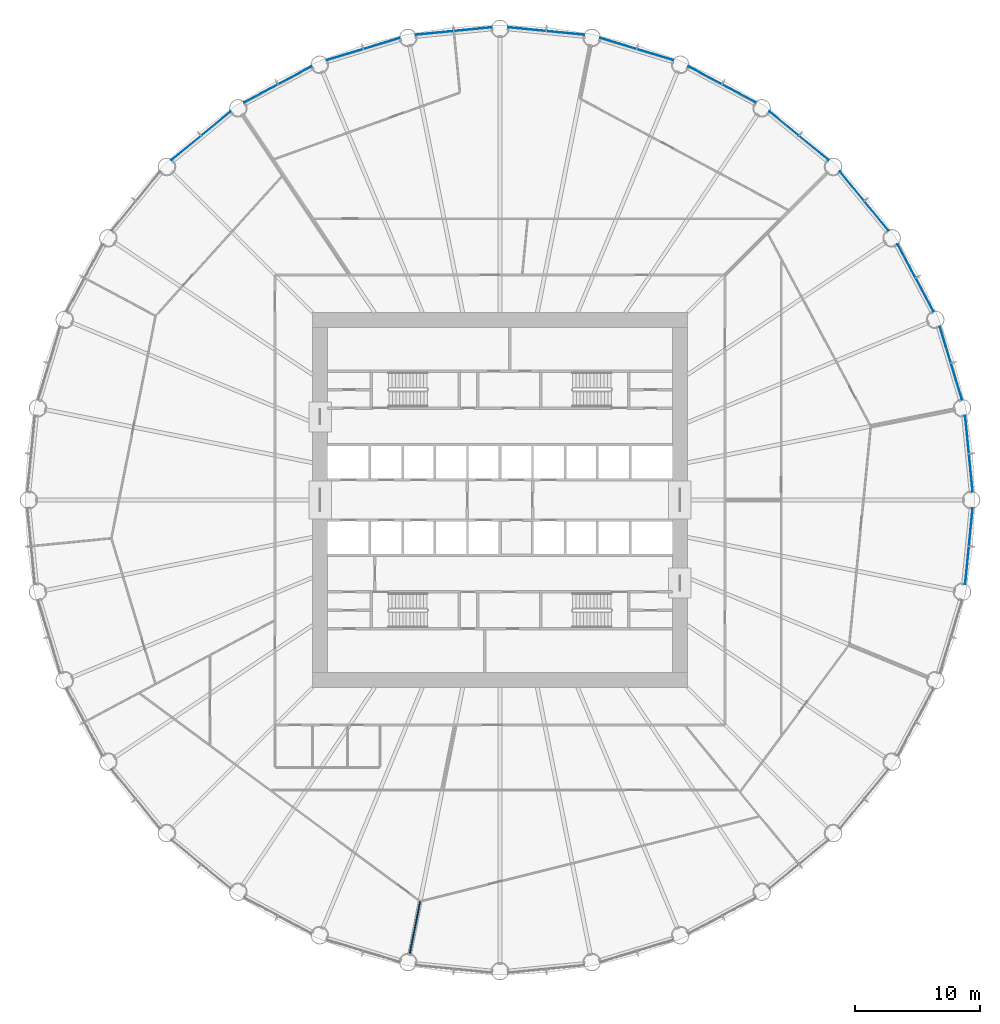
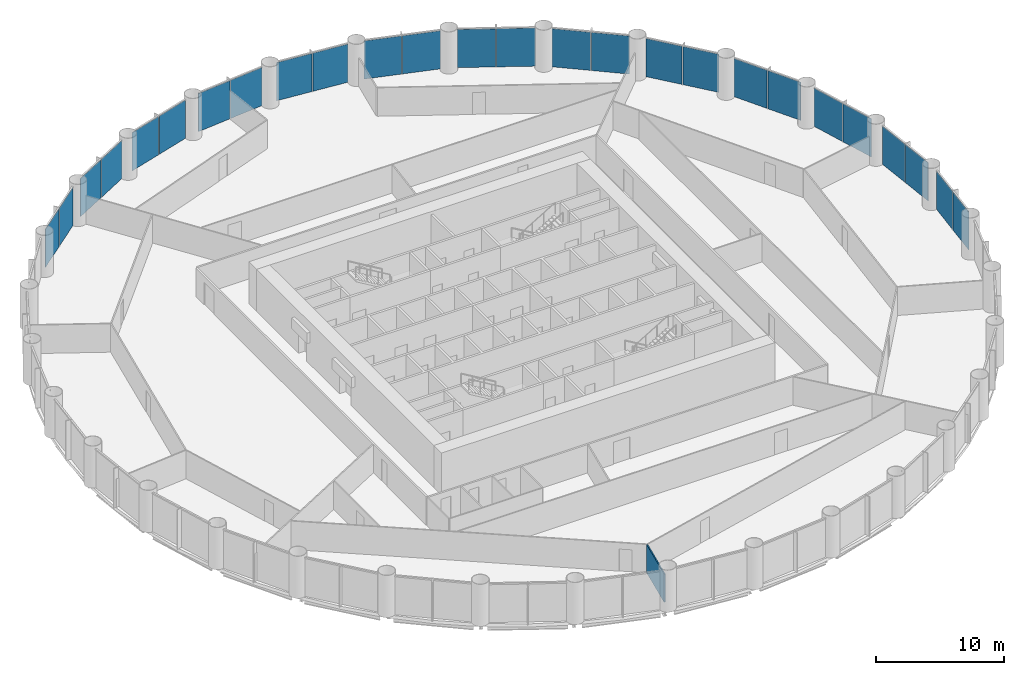
# One storey, part 9 of 15: 26 plates, 1 wall, 13 elements without a shape of their own.
"""IFC4 building model written with IfcOpenShell, lengths in metres."""

from ifc_helpers import new_model, si_unit, direction, frame, frame_2d, origin, origin_2d, place, context, subcontext, project, spatial, rectangle, extrude, material, layer, layer_set, type_object, element, aggregate, save


model = new_model("IFC4")

# Units and contexts
model_context = context("Model", 3, precision=1e-05, world=origin(), true_north=direction((0.0, 1.0)))
body_context = subcontext(model_context, "Body", "Model", "MODEL_VIEW")
ifc_project = project(units=[si_unit("LENGTHUNIT", "METRE"), si_unit("AREAUNIT", "SQUARE_METRE"), si_unit("VOLUMEUNIT", "CUBIC_METRE"), si_unit("PLANEANGLEUNIT", "RADIAN"), si_unit("MASSUNIT", "GRAM", prefix="KILO")], contexts=[model_context])

# Site, building, storey
site_placement = place(None, origin())
site = spatial("IfcSite", under=ifc_project, at=site_placement, CompositionType="ELEMENT")
building_placement = place(site_placement, origin())
building = spatial("IfcBuilding", under=site, at=building_placement, Name="Corvane Civic Tower", CompositionType="ELEMENT")
storey_placement = place(building_placement, frame((0.0, 0.0, 41.0)))
storey = spatial("IfcBuildingStorey", under=building, at=storey_placement, Name="L08", CompositionType="ELEMENT", Elevation=41.0)

# Curtain wall, plates
ifc_material_1 = material(Name="Anodised aluminium bronze", Category="aluminium")
curtain_wall_type = type_object("IfcCurtainWallType", Name="TOWER CW-T1 STICK CURTAIN WALL", PredefinedType="NOTDEFINED", material=ifc_material_1)
curtain_wall_1_placement = place(storey_placement, origin())
curtain_wall_1 = element("IfcCurtainWall", 1, at=curtain_wall_1_placement, inside=storey, type_object=curtain_wall_type, Name="Curtain wall CW-T1 L08 bay 01", PredefinedType="NOTDEFINED")
ifc_material_2 = material(Name="Tinted glass", Category="glass")
ifc_layer_1 = layer(ifc_material_2, 0.035888671875)
ifc_layer_set_1 = layer_set([ifc_layer_1], Name="Tinted glass")
plate_type = type_object("IfcPlateType", Name="TOWER CW-T1 PANEL IGU36", PredefinedType="CURTAIN_PANEL", material=ifc_layer_set_1)
plate_1_placement = place(storey_placement, frame((2.158203125, 37.667236328125, 0.0), z_axis=(0.0, 0.0, 1.0), x_axis=(0.995185800248, -0.098006239521, 0.0)))
plate_1 = element("IfcPlate", 2, at=plate_1_placement, type_object=plate_type, Name="Glass panel CW-T1 L08 01.1", PredefinedType="CURTAIN_PANEL", context=body_context, shape_type="SweptSolid", body=[
    extrude(rectangle(XDim=3.008544921875, YDim=0.035888671875, at=origin_2d()), origin(), (0.0, 0.0, 1.0), 3.6298828125),
])
plate_2_placement = place(storey_placement, frame((5.23193359375, 37.36474609375, 0.0), z_axis=(0.0, 0.0, 1.0), x_axis=(0.995185800248, -0.098006239521, 0.0)))
plate_2 = element("IfcPlate", 3, at=plate_2_placement, type_object=plate_type, Name="Glass panel CW-T1 L08 01.2", PredefinedType="CURTAIN_PANEL", context=body_context, shape_type="SweptSolid", body=[
    extrude(rectangle(XDim=3.008544921875, YDim=0.035888671875, at=origin_2d()), origin(), (0.0, 0.0, 1.0), 3.6298828125),
])
aggregate(curtain_wall_1, [plate_1, plate_2])

curtain_wall_2_placement = place(storey_placement, origin())
curtain_wall_2 = element("IfcCurtainWall", 4, at=curtain_wall_2_placement, inside=storey, type_object=curtain_wall_type, Name="Curtain wall CW-T1 L08 bay 02", PredefinedType="NOTDEFINED")
plate_3_placement = place(storey_placement, frame((9.46533203125, 36.522705078125, 0.0), z_axis=(0.0, 0.0, 1.0), x_axis=(0.956942240606, -0.290278397654, 0.0)))
plate_3 = element("IfcPlate", 5, at=plate_3_placement, type_object=plate_type, Name="Glass panel CW-T1 L08 02.1", PredefinedType="CURTAIN_PANEL", context=body_context, shape_type="SweptSolid", body=[
    extrude(rectangle(XDim=3.008544921875, YDim=0.035888671875, at=origin_2d()), origin(), (0.0, 0.0, 1.0), 3.6298828125),
])
plate_4_placement = place(storey_placement, frame((12.4208984375, 35.6259765625, 0.0), z_axis=(0.0, 0.0, 1.0), x_axis=(0.956942240606, -0.290278397654, 0.0)))
plate_4 = element("IfcPlate", 6, at=plate_4_placement, type_object=plate_type, Name="Glass panel CW-T1 L08 02.2", PredefinedType="CURTAIN_PANEL", context=body_context, shape_type="SweptSolid", body=[
    extrude(rectangle(XDim=3.008544921875, YDim=0.035888671875, at=origin_2d()), origin(), (0.0, 0.0, 1.0), 3.6298828125),
])
aggregate(curtain_wall_2, [plate_3, plate_4])

curtain_wall_3_placement = place(storey_placement, origin())
curtain_wall_3 = element("IfcCurtainWall", 7, at=curtain_wall_3_placement, inside=storey, type_object=curtain_wall_type, Name="Curtain wall CW-T1 L08 bay 03", PredefinedType="NOTDEFINED")
plate_5_placement = place(storey_placement, frame((16.40869140625, 33.974365234375, 0.0), z_axis=(0.0, 0.0, 1.0), x_axis=(0.881917528864, -0.471403725359, 0.0)))
plate_5 = element("IfcPlate", 8, at=plate_5_placement, type_object=plate_type, Name="Glass panel CW-T1 L08 03.1", PredefinedType="CURTAIN_PANEL", context=body_context, shape_type="SweptSolid", body=[
    extrude(rectangle(XDim=3.008544921875, YDim=0.035888671875, at=origin_2d()), origin(), (0.0, 0.0, 1.0), 3.6298828125),
])
plate_6_placement = place(storey_placement, frame((19.132568359375, 32.518310546875, 0.0), z_axis=(0.0, 0.0, 1.0), x_axis=(0.881917528864, -0.471403725359, 0.0)))
plate_6 = element("IfcPlate", 9, at=plate_6_placement, type_object=plate_type, Name="Glass panel CW-T1 L08 03.2", PredefinedType="CURTAIN_PANEL", context=body_context, shape_type="SweptSolid", body=[
    extrude(rectangle(XDim=3.008544921875, YDim=0.035888671875, at=origin_2d()), origin(), (0.0, 0.0, 1.0), 3.6298828125),
])
aggregate(curtain_wall_3, [plate_5, plate_6])

curtain_wall_4_placement = place(storey_placement, origin())
curtain_wall_4 = element("IfcCurtainWall", 10, at=curtain_wall_4_placement, inside=storey, type_object=curtain_wall_type, Name="Curtain wall CW-T1 L08 bay 04", PredefinedType="NOTDEFINED")
plate_7_placement = place(storey_placement, frame((22.721435546875, 30.120361328125, 0.0), z_axis=(0.0, 0.0, 1.0), x_axis=(0.773007224463, -0.634397218569, 0.0)))
plate_7 = element("IfcPlate", 11, at=plate_7_placement, type_object=plate_type, Name="Glass panel CW-T1 L08 04.1", PredefinedType="CURTAIN_PANEL", context=body_context, shape_type="SweptSolid", body=[
    extrude(rectangle(XDim=3.008544921875, YDim=0.035888671875, at=origin_2d()), origin(), (0.0, 0.0, 1.0), 3.6298828125),
])
plate_8_placement = place(storey_placement, frame((25.10888671875, 28.160888671875, 0.0), z_axis=(0.0, 0.0, 1.0), x_axis=(0.773007224463, -0.634397218569, 0.0)))
plate_8 = element("IfcPlate", 12, at=plate_8_placement, type_object=plate_type, Name="Glass panel CW-T1 L08 04.2", PredefinedType="CURTAIN_PANEL", context=body_context, shape_type="SweptSolid", body=[
    extrude(rectangle(XDim=3.008544921875, YDim=0.035888671875, at=origin_2d()), origin(), (0.0, 0.0, 1.0), 3.6298828125),
])
aggregate(curtain_wall_4, [plate_7, plate_8])

curtain_wall_5_placement = place(storey_placement, origin())
curtain_wall_5 = element("IfcCurtainWall", 13, at=curtain_wall_5_placement, inside=storey, type_object=curtain_wall_type, Name="Curtain wall CW-T1 L08 bay 05", PredefinedType="NOTDEFINED")
plate_9_placement = place(storey_placement, frame((28.160888671875, 25.10888671875, 0.0), z_axis=(0.0, 0.0, 1.0), x_axis=(0.634397218569, -0.773007224463, 0.0)))
plate_9 = element("IfcPlate", 14, at=plate_9_placement, type_object=plate_type, Name="Glass panel CW-T1 L08 05.1", PredefinedType="CURTAIN_PANEL", context=body_context, shape_type="SweptSolid", body=[
    extrude(rectangle(XDim=3.008544921875, YDim=0.035888671875, at=origin_2d()), origin(), (0.0, 0.0, 1.0), 3.6298828125),
])
plate_10_placement = place(storey_placement, frame((30.120361328125, 22.721435546875, 0.0), z_axis=(0.0, 0.0, 1.0), x_axis=(0.634397218569, -0.773007224463, 0.0)))
plate_10 = element("IfcPlate", 15, at=plate_10_placement, type_object=plate_type, Name="Glass panel CW-T1 L08 05.2", PredefinedType="CURTAIN_PANEL", context=body_context, shape_type="SweptSolid", body=[
    extrude(rectangle(XDim=3.008544921875, YDim=0.035888671875, at=origin_2d()), origin(), (0.0, 0.0, 1.0), 3.6298828125),
])
aggregate(curtain_wall_5, [plate_9, plate_10])

curtain_wall_6_placement = place(storey_placement, origin())
curtain_wall_6 = element("IfcCurtainWall", 16, at=curtain_wall_6_placement, inside=storey, type_object=curtain_wall_type, Name="Curtain wall CW-T1 L08 bay 06", PredefinedType="NOTDEFINED")
plate_11_placement = place(storey_placement, frame((32.518310546875, 19.132568359375, 0.0), z_axis=(0.0, 0.0, 1.0), x_axis=(0.471403725359, -0.881917528864, 0.0)))
plate_11 = element("IfcPlate", 17, at=plate_11_placement, type_object=plate_type, Name="Glass panel CW-T1 L08 06.1", PredefinedType="CURTAIN_PANEL", context=body_context, shape_type="SweptSolid", body=[
    extrude(rectangle(XDim=3.008544921875, YDim=0.035888671875, at=origin_2d()), origin(), (0.0, 0.0, 1.0), 3.6298828125),
])
plate_12_placement = place(storey_placement, frame((33.974365234375, 16.40869140625, 0.0), z_axis=(0.0, 0.0, 1.0), x_axis=(0.471403725359, -0.881917528864, 0.0)))
plate_12 = element("IfcPlate", 18, at=plate_12_placement, type_object=plate_type, Name="Glass panel CW-T1 L08 06.2", PredefinedType="CURTAIN_PANEL", context=body_context, shape_type="SweptSolid", body=[
    extrude(rectangle(XDim=3.008544921875, YDim=0.035888671875, at=origin_2d()), origin(), (0.0, 0.0, 1.0), 3.6298828125),
])
aggregate(curtain_wall_6, [plate_11, plate_12])

curtain_wall_7_placement = place(storey_placement, origin())
curtain_wall_7 = element("IfcCurtainWall", 19, at=curtain_wall_7_placement, inside=storey, type_object=curtain_wall_type, Name="Curtain wall CW-T1 L08 bay 07", PredefinedType="NOTDEFINED")
plate_13_placement = place(storey_placement, frame((35.6259765625, 12.4208984375, 0.0), z_axis=(0.0, 0.0, 1.0), x_axis=(0.290278397654, -0.956942240606, 0.0)))
plate_13 = element("IfcPlate", 20, at=plate_13_placement, type_object=plate_type, Name="Glass panel CW-T1 L08 07.1", PredefinedType="CURTAIN_PANEL", context=body_context, shape_type="SweptSolid", body=[
    extrude(rectangle(XDim=3.008544921875, YDim=0.035888671875, at=origin_2d()), origin(), (0.0, 0.0, 1.0), 3.6298828125),
])
plate_14_placement = place(storey_placement, frame((36.522705078125, 9.46533203125, 0.0), z_axis=(0.0, 0.0, 1.0), x_axis=(0.290278397654, -0.956942240606, 0.0)))
plate_14 = element("IfcPlate", 21, at=plate_14_placement, type_object=plate_type, Name="Glass panel CW-T1 L08 07.2", PredefinedType="CURTAIN_PANEL", context=body_context, shape_type="SweptSolid", body=[
    extrude(rectangle(XDim=3.008544921875, YDim=0.035888671875, at=origin_2d()), origin(), (0.0, 0.0, 1.0), 3.6298828125),
])
aggregate(curtain_wall_7, [plate_13, plate_14])

curtain_wall_8_placement = place(storey_placement, origin())
curtain_wall_8 = element("IfcCurtainWall", 22, at=curtain_wall_8_placement, inside=storey, type_object=curtain_wall_type, Name="Curtain wall CW-T1 L08 bay 08", PredefinedType="NOTDEFINED")
plate_15_placement = place(storey_placement, frame((37.36474609375, 5.23193359375, 0.0), z_axis=(0.0, 0.0, 1.0), x_axis=(0.098006239521, -0.995185800248, 0.0)))
plate_15 = element("IfcPlate", 23, at=plate_15_placement, type_object=plate_type, Name="Glass panel CW-T1 L08 08.1", PredefinedType="CURTAIN_PANEL", context=body_context, shape_type="SweptSolid", body=[
    extrude(rectangle(XDim=3.008544921875, YDim=0.035888671875, at=origin_2d()), origin(), (0.0, 0.0, 1.0), 3.6298828125),
])
plate_16_placement = place(storey_placement, frame((37.667236328125, 2.158203125, 0.0), z_axis=(0.0, 0.0, 1.0), x_axis=(0.098006239521, -0.995185800248, 0.0)))
plate_16 = element("IfcPlate", 24, at=plate_16_placement, type_object=plate_type, Name="Glass panel CW-T1 L08 08.2", PredefinedType="CURTAIN_PANEL", context=body_context, shape_type="SweptSolid", body=[
    extrude(rectangle(XDim=3.008544921875, YDim=0.035888671875, at=origin_2d()), origin(), (0.0, 0.0, 1.0), 3.6298828125),
])
aggregate(curtain_wall_8, [plate_15, plate_16])

curtain_wall_9_placement = place(storey_placement, origin())
curtain_wall_9 = element("IfcCurtainWall", 25, at=curtain_wall_9_placement, inside=storey, type_object=curtain_wall_type, Name="Curtain wall CW-T1 L08 bay 09", PredefinedType="NOTDEFINED")
plate_17_placement = place(storey_placement, frame((37.667236328125, -2.158203125, 0.0), z_axis=(0.0, 0.0, 1.0), x_axis=(-0.098006239521, -0.995185800248, 0.0)))
plate_17 = element("IfcPlate", 26, at=plate_17_placement, type_object=plate_type, Name="Glass panel CW-T1 L08 09.1", PredefinedType="CURTAIN_PANEL", context=body_context, shape_type="SweptSolid", body=[
    extrude(rectangle(XDim=3.008544921875, YDim=0.035888671875, at=origin_2d()), origin(), (0.0, 0.0, 1.0), 3.6298828125),
])
plate_18_placement = place(storey_placement, frame((37.36474609375, -5.23193359375, 0.0), z_axis=(0.0, 0.0, 1.0), x_axis=(-0.098006239521, -0.995185800248, 0.0)))
plate_18 = element("IfcPlate", 27, at=plate_18_placement, type_object=plate_type, Name="Glass panel CW-T1 L08 09.2", PredefinedType="CURTAIN_PANEL", context=body_context, shape_type="SweptSolid", body=[
    extrude(rectangle(XDim=3.008544921875, YDim=0.035888671875, at=origin_2d()), origin(), (0.0, 0.0, 1.0), 3.6298828125),
])
aggregate(curtain_wall_9, [plate_17, plate_18])

curtain_wall_10_placement = place(storey_placement, origin())
curtain_wall_10 = element("IfcCurtainWall", 28, at=curtain_wall_10_placement, inside=storey, type_object=curtain_wall_type, Name="Curtain wall CW-T1 L08 bay 29", PredefinedType="NOTDEFINED")
plate_19_placement = place(storey_placement, frame((-25.10888671875, 28.160888671875, 0.0), z_axis=(0.0, 0.0, 1.0), x_axis=(0.773007224463, 0.634397218569, 0.0)))
plate_19 = element("IfcPlate", 29, at=plate_19_placement, type_object=plate_type, Name="Glass panel CW-T1 L08 29.1", PredefinedType="CURTAIN_PANEL", context=body_context, shape_type="SweptSolid", body=[
    extrude(rectangle(XDim=3.008544921875, YDim=0.035888671875, at=origin_2d()), origin(), (0.0, 0.0, 1.0), 3.6298828125),
])
plate_20_placement = place(storey_placement, frame((-22.721435546875, 30.120361328125, 0.0), z_axis=(0.0, 0.0, 1.0), x_axis=(0.773007224463, 0.634397218569, 0.0)))
plate_20 = element("IfcPlate", 30, at=plate_20_placement, type_object=plate_type, Name="Glass panel CW-T1 L08 29.2", PredefinedType="CURTAIN_PANEL", context=body_context, shape_type="SweptSolid", body=[
    extrude(rectangle(XDim=3.008544921875, YDim=0.035888671875, at=origin_2d()), origin(), (0.0, 0.0, 1.0), 3.6298828125),
])
aggregate(curtain_wall_10, [plate_19, plate_20])

curtain_wall_11_placement = place(storey_placement, origin())
curtain_wall_11 = element("IfcCurtainWall", 31, at=curtain_wall_11_placement, inside=storey, type_object=curtain_wall_type, Name="Curtain wall CW-T1 L08 bay 30", PredefinedType="NOTDEFINED")
plate_21_placement = place(storey_placement, frame((-19.132568359375, 32.518310546875, 0.0), z_axis=(0.0, 0.0, 1.0), x_axis=(0.881917528864, 0.471403725359, 0.0)))
plate_21 = element("IfcPlate", 32, at=plate_21_placement, type_object=plate_type, Name="Glass panel CW-T1 L08 30.1", PredefinedType="CURTAIN_PANEL", context=body_context, shape_type="SweptSolid", body=[
    extrude(rectangle(XDim=3.008544921875, YDim=0.035888671875, at=origin_2d()), origin(), (0.0, 0.0, 1.0), 3.6298828125),
])
plate_22_placement = place(storey_placement, frame((-16.40869140625, 33.974365234375, 0.0), z_axis=(0.0, 0.0, 1.0), x_axis=(0.881917528864, 0.471403725359, 0.0)))
plate_22 = element("IfcPlate", 33, at=plate_22_placement, type_object=plate_type, Name="Glass panel CW-T1 L08 30.2", PredefinedType="CURTAIN_PANEL", context=body_context, shape_type="SweptSolid", body=[
    extrude(rectangle(XDim=3.008544921875, YDim=0.035888671875, at=origin_2d()), origin(), (0.0, 0.0, 1.0), 3.6298828125),
])
aggregate(curtain_wall_11, [plate_21, plate_22])

curtain_wall_12_placement = place(storey_placement, origin())
curtain_wall_12 = element("IfcCurtainWall", 34, at=curtain_wall_12_placement, inside=storey, type_object=curtain_wall_type, Name="Curtain wall CW-T1 L08 bay 31", PredefinedType="NOTDEFINED")
plate_23_placement = place(storey_placement, frame((-12.4208984375, 35.6259765625, 0.0), z_axis=(0.0, 0.0, 1.0), x_axis=(0.956942240606, 0.290278397654, 0.0)))
plate_23 = element("IfcPlate", 35, at=plate_23_placement, type_object=plate_type, Name="Glass panel CW-T1 L08 31.1", PredefinedType="CURTAIN_PANEL", context=body_context, shape_type="SweptSolid", body=[
    extrude(rectangle(XDim=3.008544921875, YDim=0.035888671875, at=origin_2d()), origin(), (0.0, 0.0, 1.0), 3.6298828125),
])
plate_24_placement = place(storey_placement, frame((-9.46533203125, 36.522705078125, 0.0), z_axis=(0.0, 0.0, 1.0), x_axis=(0.956942240606, 0.290278397654, 0.0)))
plate_24 = element("IfcPlate", 36, at=plate_24_placement, type_object=plate_type, Name="Glass panel CW-T1 L08 31.2", PredefinedType="CURTAIN_PANEL", context=body_context, shape_type="SweptSolid", body=[
    extrude(rectangle(XDim=3.008544921875, YDim=0.035888671875, at=origin_2d()), origin(), (0.0, 0.0, 1.0), 3.6298828125),
])
aggregate(curtain_wall_12, [plate_23, plate_24])

curtain_wall_13_placement = place(storey_placement, origin())
curtain_wall_13 = element("IfcCurtainWall", 37, at=curtain_wall_13_placement, inside=storey, type_object=curtain_wall_type, Name="Curtain wall CW-T1 L08 bay 32", PredefinedType="NOTDEFINED")
plate_25_placement = place(storey_placement, frame((-5.23193359375, 37.36474609375, 0.0), z_axis=(0.0, 0.0, 1.0), x_axis=(0.995185800248, 0.098006239521, 0.0)))
plate_25 = element("IfcPlate", 38, at=plate_25_placement, type_object=plate_type, Name="Glass panel CW-T1 L08 32.1", PredefinedType="CURTAIN_PANEL", context=body_context, shape_type="SweptSolid", body=[
    extrude(rectangle(XDim=3.008544921875, YDim=0.035888671875, at=origin_2d()), origin(), (0.0, 0.0, 1.0), 3.6298828125),
])
plate_26_placement = place(storey_placement, frame((-2.158203125, 37.667236328125, 0.0), z_axis=(0.0, 0.0, 1.0), x_axis=(0.995185800248, 0.098006239521, 0.0)))
plate_26 = element("IfcPlate", 39, at=plate_26_placement, type_object=plate_type, Name="Glass panel CW-T1 L08 32.2", PredefinedType="CURTAIN_PANEL", context=body_context, shape_type="SweptSolid", body=[
    extrude(rectangle(XDim=3.008544921875, YDim=0.035888671875, at=origin_2d()), origin(), (0.0, 0.0, 1.0), 3.6298828125),
])
aggregate(curtain_wall_13, [plate_25, plate_26])

# Wall
ifc_material_3 = material(Name="Plasterboard")
ifc_layer_2 = layer(ifc_material_3, 0.10009765625)
ifc_layer_set_2 = layer_set([ifc_layer_2], Name="Plasterboard")
wall_type = type_object("IfcWallType", Name="Partition 100 plasterboard on studs", PredefinedType="PARTITIONING", material=ifc_layer_set_2)
wall_placement = place(storey_placement, frame((-7.21630859375, -36.279296875, 0.0), z_axis=(0.0, 0.0, 1.0), x_axis=(0.195057644568, 0.980791779786, 0.0)))
element("IfcWall", 40, at=wall_placement, inside=storey, type_object=wall_type, Name="Partition L08.001", PredefinedType="PARTITIONING", context=body_context, shape_type="SweptSolid", body=[
    extrude(rectangle(XDim=4.21435546875, YDim=0.10009765625, at=frame_2d((2.107177734375, 0.0))), origin(), (0.0, 0.0, 1.0), 2.699951171875),
])

save(model, "model.ifc")
